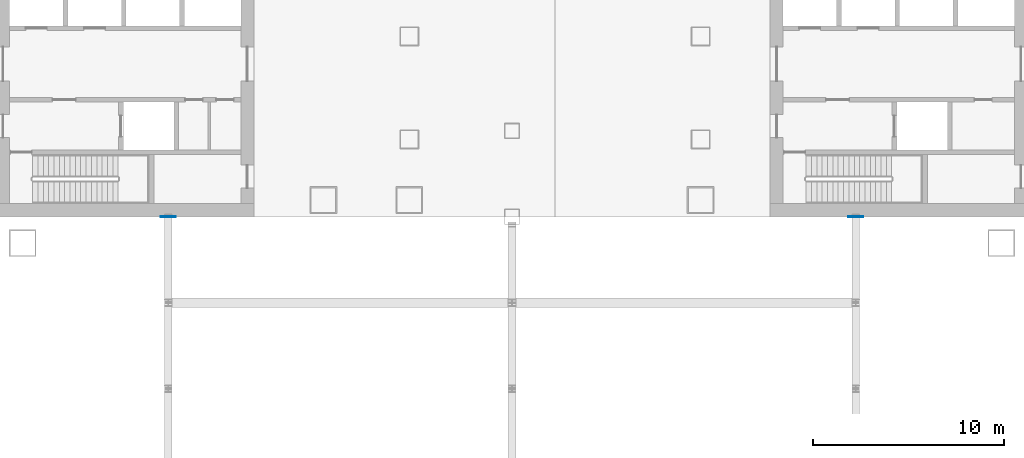
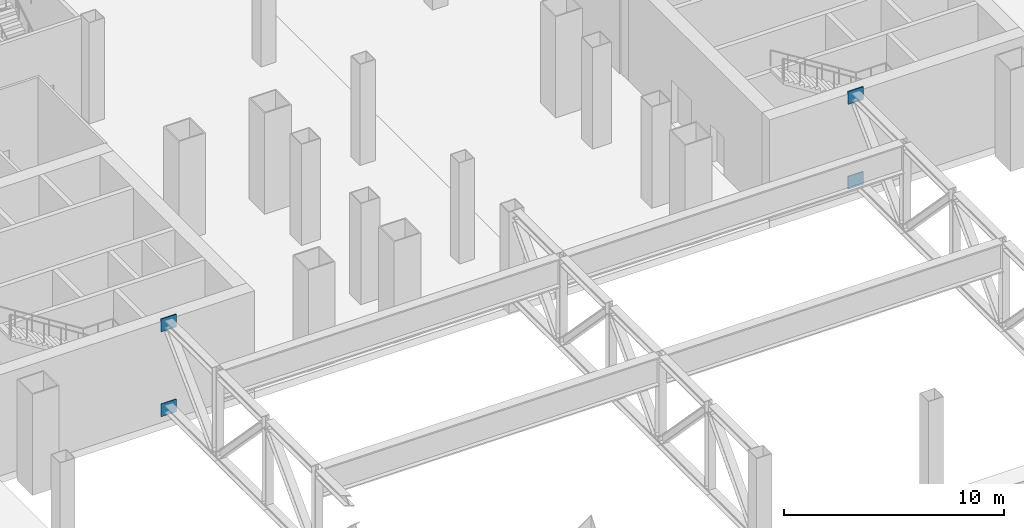
# One storey, part 28 of 33: 4 discrete accessories.
"""IFC4 building model written with IfcOpenShell, lengths in metres."""

from ifc_helpers import new_model, si_unit, direction, frame, origin, origin_2d, place, context, subcontext, project, spatial, rectangle, extrude, material, layer, layer_set, type_object, element, save


model = new_model("IFC4")

# Units and contexts
model_context = context("Model", 3, precision=1e-05, world=origin(), true_north=direction((0.0, 1.0)))
body_context = subcontext(model_context, "Body", "Model", "MODEL_VIEW")
ifc_project = project(units=[si_unit("LENGTHUNIT", "METRE"), si_unit("AREAUNIT", "SQUARE_METRE"), si_unit("VOLUMEUNIT", "CUBIC_METRE"), si_unit("PLANEANGLEUNIT", "RADIAN"), si_unit("MASSUNIT", "GRAM", prefix="KILO")], contexts=[model_context])

# Site, building, storey
site_placement = place(None, origin())
site = spatial("IfcSite", under=ifc_project, at=site_placement, CompositionType="ELEMENT")
building_placement = place(site_placement, origin())
building = spatial("IfcBuilding", under=site, at=building_placement, Name="Shamsa Quay Exchange Towers", CompositionType="ELEMENT")
storey_placement = place(building_placement, frame((0.0, 0.0, 6.5)))
storey = spatial("IfcBuildingStorey", under=building, at=storey_placement, Name="L01", CompositionType="ELEMENT", Elevation=6.5)

# Discrete accessories
ifc_material = material(Name="Steel S355", Category="steel")
ifc_layer = layer(ifc_material, 0.050048828125)
ifc_layer_set = layer_set([ifc_layer], Name="Cast-in plate 50x800x707")
discrete_accessory_type = type_object("IfcDiscreteAccessoryType", Name="Cast-in plate 50x800x707", PredefinedType="ANCHORPLATE", material=ifc_layer_set)
for number, where, z_axis, x_axis, name in (
    (1, (-18.0, -6.75, 5.04248046875), (0.0, 0.0, 1.0), (0.0, 1.0, 0.0), "Cast-in plate hall truss -18"),
    (2, (-18.0, -6.75, 0.342529296875), (0.0, 0.0, 1.0), (0.0, 1.0, 0.0), "Cast-in plate hall truss -18"),
    (3, (18.0, -6.75, 5.04248046875), (0.0, 0.0, 1.0), (0.0, 1.0, 0.0), "Cast-in plate hall truss +18"),
    (4, (18.0, -6.75, 0.342529296875), (0.0, 0.0, 1.0), (0.0, 1.0, 0.0), "Cast-in plate hall truss +18"),
):
    element("IfcDiscreteAccessory", number, at=place(storey_placement, frame(where, z_axis=z_axis, x_axis=x_axis)), inside=storey, type_object=discrete_accessory_type, Name=name, PredefinedType="ANCHORPLATE", context=body_context, shape_type="SweptSolid", body=[
        extrude(rectangle(XDim=0.050048828125, YDim=0.800048828125, at=origin_2d()), origin(), (0.0, 0.0, 1.0), 0.70751953125),
    ])

save(model, "model.ifc")
